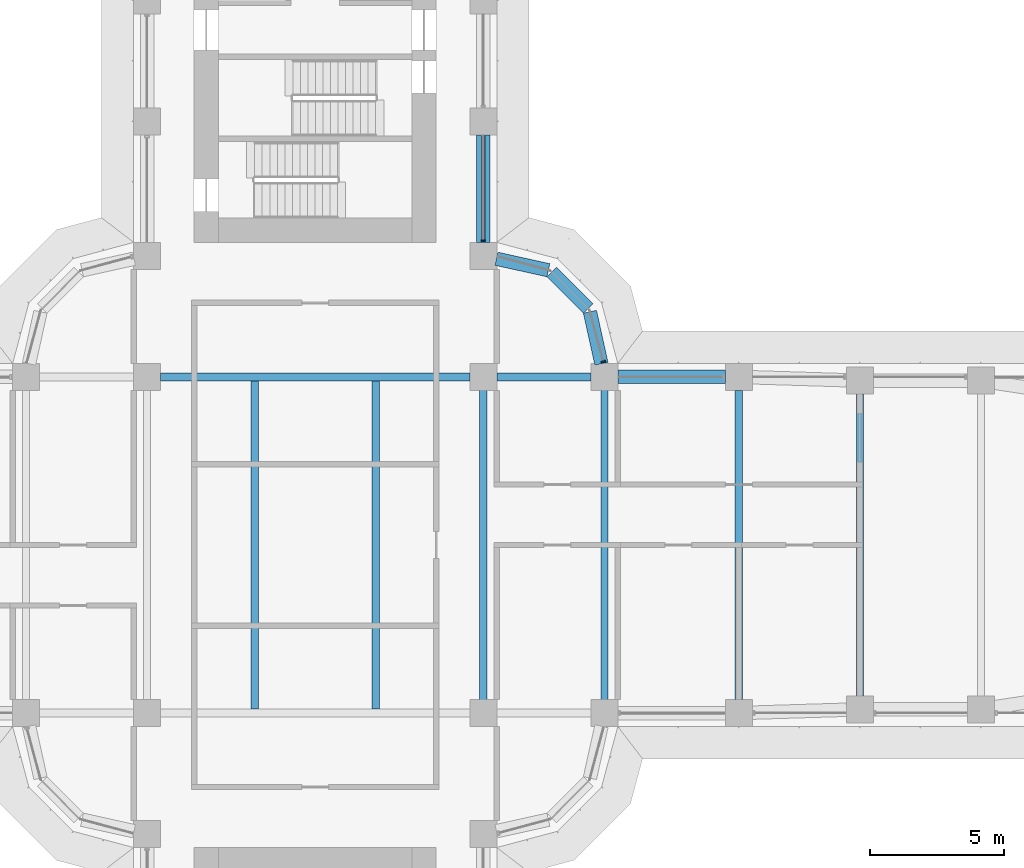
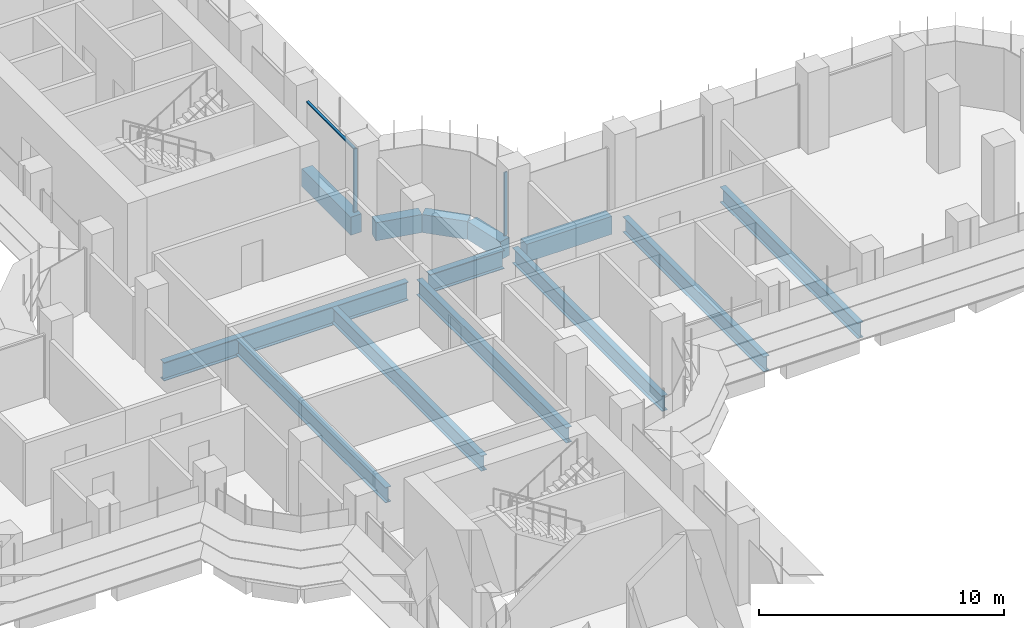
# One storey, part 8 of 23: 13 beams, 3 members, 2 elements without a shape of their own.
"""IFC4 building model written with IfcOpenShell, lengths in metres."""

from ifc_helpers import new_model, si_unit, direction, frame, origin, origin_2d, place, context, subcontext, project, spatial, polyline, rectangle, i_section, outline, extrude, source, transform, mapped, material, material_profile, profile_set, type_object, element, aggregate, save


model = new_model("IFC4")

# Units and contexts
model_context = context("Model", 3, precision=1e-05, world=origin(), true_north=direction((0.0, 1.0)))
body_context = subcontext(model_context, "Body", "Model", "MODEL_VIEW")
ifc_project = project(units=[si_unit("LENGTHUNIT", "METRE"), si_unit("AREAUNIT", "SQUARE_METRE"), si_unit("VOLUMEUNIT", "CUBIC_METRE"), si_unit("PLANEANGLEUNIT", "RADIAN"), si_unit("MASSUNIT", "GRAM", prefix="KILO")], contexts=[model_context])

# Site, building, storey
site_placement = place(None, origin())
site = spatial("IfcSite", under=ifc_project, at=site_placement, CompositionType="ELEMENT")
building_placement = place(site_placement, origin())
building = spatial("IfcBuilding", under=site, at=building_placement, Name="Zarbagh Exchange Tower", CompositionType="ELEMENT")
storey_placement = place(building_placement, frame((0.0, 0.0, 39.60009765625)))
storey = spatial("IfcBuildingStorey", under=building, at=storey_placement, Name="L08", CompositionType="ELEMENT", Elevation=39.60009765625)

# Beams
ifc_material_1 = material(Name="Steel ASTM A992 Gr 50", Category="steel")
ifc_material_profile_1 = material_profile(ifc_material_1, i_section(OverallWidth=0.2666015625, OverallDepth=0.76708984375, WebThickness=0.014892578125, FlangeThickness=0.023681640625, at=origin_2d()), Name="W30X124")
ifc_profile_set_1 = profile_set([ifc_material_profile_1], Name="Steel ASTM A992 Gr 50")
beam_type_1 = type_object("IfcBeamType", Name="Floor beam W30X124", PredefinedType="BEAM", material=ifc_profile_set_1)
for number, where, z_axis, x_axis, name in (
    (1, (-2.25, -6.09765625, -0.53369140625), (0.0, 1.0, 0.0), (-1.0, 0.0, 0.0), "Steel floor beam"),
    (2, (2.25, -6.09765625, -0.53369140625), (0.0, 1.0, 0.0), (-1.0, 0.0, 0.0), "Steel floor beam"),
    (3, (6.25, -6.09765625, -0.53369140625), (0.0, 1.0, 0.0), (-1.0, 0.0, 0.0), "Steel floor beam"),
    (4, (10.75, -6.09765625, -0.53369140625), (0.0, 1.0, 0.0), (-1.0, 0.0, 0.0), "Steel floor beam"),
):
    element("IfcBeam", number, at=place(storey_placement, frame(where, z_axis=z_axis, x_axis=x_axis)), inside=storey, type_object=beam_type_1, Name=name, PredefinedType="BEAM", context=body_context, shape_type="SweptSolid", body=[
        extrude(i_section(OverallWidth=0.2666015625, OverallDepth=0.76708984375, WebThickness=0.014892578125, FlangeThickness=0.023681640625, at=origin_2d()), origin(), (0.0, 0.0, 1.0), 12.1953125),
    ])
beam_1_placement = place(storey_placement, frame((15.75, -5.75, -0.53369140625), z_axis=(0.0, 1.0, 0.0), x_axis=(-1.0, 0.0, 0.0)))
element("IfcBeam", 5, at=beam_1_placement, inside=storey, type_object=beam_type_1, Name="Steel floor beam", PredefinedType="BEAM", context=body_context, shape_type="SweptSolid", body=[
    extrude(i_section(OverallWidth=0.2666015625, OverallDepth=0.76708984375, WebThickness=0.014892578125, FlangeThickness=0.023681640625, at=origin_2d()), origin(), (0.0, 0.0, 1.0), 11.5),
])
beam_2_placement = place(storey_placement, frame((20.25, -5.610107421875, -0.53369140625), z_axis=(0.0, 1.0, 0.0), x_axis=(-1.0, 0.0, 0.0)))
element("IfcBeam", 6, at=beam_2_placement, inside=storey, type_object=beam_type_1, Name="Steel floor beam", PredefinedType="BEAM", context=body_context, shape_type="SweptSolid", body=[
    extrude(i_section(OverallWidth=0.2666015625, OverallDepth=0.76708984375, WebThickness=0.014892578125, FlangeThickness=0.023681640625, at=origin_2d()), origin(), (0.0, 0.0, 1.0), 11.22021484375),
])
ifc_material_profile_2 = material_profile(ifc_material_1, i_section(OverallWidth=0.3046875, OverallDepth=0.91943359375, WebThickness=0.017333984375, FlangeThickness=0.02783203125, at=origin_2d()), Name="W36X170")
ifc_profile_set_2 = profile_set([ifc_material_profile_2], Name="Steel ASTM A992 Gr 50")
beam_type_2 = type_object("IfcBeamType", Name="Floor girder W36X170", PredefinedType="BEAM", material=ifc_profile_set_2)
beam_3_placement = place(storey_placement, frame((-5.75, 6.25, -0.60986328125), z_axis=(1.0, 0.0, 0.0), x_axis=(0.0, 1.0, 0.0)))
element("IfcBeam", 7, at=beam_3_placement, inside=storey, type_object=beam_type_2, Name="Steel girder", PredefinedType="BEAM", context=body_context, shape_type="SweptSolid", body=[
    extrude(i_section(OverallWidth=0.3046875, OverallDepth=0.91943359375, WebThickness=0.017333984375, FlangeThickness=0.02783203125, at=origin_2d()), origin(), (0.0, 0.0, 1.0), 11.5),
])
beam_4_placement = place(storey_placement, frame((6.75, 6.25, -0.60986328125), z_axis=(1.0, 0.0, 0.0), x_axis=(0.0, 1.0, 0.0)))
element("IfcBeam", 8, at=beam_4_placement, inside=storey, type_object=beam_type_2, Name="Steel girder", PredefinedType="BEAM", context=body_context, shape_type="SweptSolid", body=[
    extrude(i_section(OverallWidth=0.3046875, OverallDepth=0.91943359375, WebThickness=0.017333984375, FlangeThickness=0.02783203125, at=origin_2d()), origin(), (0.0, 0.0, 1.0), 3.5),
])
ifc_material_2 = material(Name="Concrete C60/75", Category="concrete")
ifc_material_profile_3 = material_profile(ifc_material_2, rectangle(XDim=0.5, YDim=0.89990234375, at=origin_2d()), Name="RC spandrel beam 500 x 900 C60/75")
ifc_profile_set_3 = profile_set([ifc_material_profile_3], Name="Concrete C60/75")
beam_type_3 = type_object("IfcBeamType", Name="RC spandrel beam 500 x 900 C60/75", PredefinedType="SPANDREL", material=ifc_profile_set_3)
beam_5_placement = place(storey_placement, frame((6.25, 15.25, -0.60009765625), z_axis=(0.0, -1.0, 0.0), x_axis=(1.0, 0.0, 0.0)))
element("IfcBeam", 9, at=beam_5_placement, inside=storey, type_object=beam_type_3, Name="RC spandrel beam", PredefinedType="SPANDREL", context=body_context, shape_type="SweptSolid", body=[
    extrude(rectangle(XDim=0.5, YDim=0.89990234375, at=origin_2d()), origin(), (0.0, 0.0, 1.0), 4.0),
])
beam_6_placement = place(storey_placement, frame((6.73828125, 10.64208984375, -0.60009765625), z_axis=(0.976375426825, -0.216081063242, 0.0), x_axis=(0.216081063242, 0.976375426825, 0.0)))
element("IfcBeam", 10, at=beam_6_placement, inside=storey, type_object=beam_type_3, Name="RC spandrel beam", PredefinedType="SPANDREL", context=body_context, shape_type="SweptSolid", body=[
    extrude(rectangle(XDim=0.5, YDim=0.89990234375, at=origin_2d()), origin(), (0.0, 0.0, 1.0), 1.978271484375),
])
beam_7_placement = place(storey_placement, frame((8.792724609375, 10.147216796875, -0.60009765625), z_axis=(0.707106781187, -0.707106781187, 0.0), x_axis=(0.707106781187, 0.707106781187, 0.0)))
element("IfcBeam", 11, at=beam_7_placement, inside=storey, type_object=beam_type_3, Name="RC spandrel beam", PredefinedType="SPANDREL", context=body_context, shape_type="SweptSolid", body=[
    extrude(rectangle(XDim=0.5, YDim=0.89990234375, at=origin_2d()), origin(), (0.0, 0.0, 1.0), 1.91552734375),
])
beam_8_placement = place(storey_placement, frame((10.214599609375, 8.669921875, -0.60009765625), z_axis=(0.216081063242, -0.976375426825, 0.0), x_axis=(0.976375426825, 0.216081063242, 0.0)))
element("IfcBeam", 12, at=beam_8_placement, inside=storey, type_object=beam_type_3, Name="RC spandrel beam", PredefinedType="SPANDREL", context=body_context, shape_type="SweptSolid", body=[
    extrude(rectangle(XDim=0.5, YDim=0.89990234375, at=origin_2d()), origin(), (0.0, 0.0, 1.0), 1.978271484375),
])
beam_9_placement = place(storey_placement, frame((11.25, 6.25, -0.60009765625), z_axis=(1.0, 0.0, 0.0), x_axis=(0.0, 1.0, 0.0)))
element("IfcBeam", 13, at=beam_9_placement, inside=storey, type_object=beam_type_3, Name="RC spandrel beam", PredefinedType="SPANDREL", context=body_context, shape_type="SweptSolid", body=[
    extrude(rectangle(XDim=0.5, YDim=0.89990234375, at=origin_2d()), origin(), (0.0, 0.0, 1.0), 4.0),
])

# Curtain wall, member
ifc_material_3 = material(Name="Anodised aluminium frame and glazing", Category="aluminium")
curtain_wall_type = type_object("IfcCurtainWallType", Name="CWA Ribbon glazing, lower zones", PredefinedType="NOTDEFINED", material=ifc_material_3)
curtain_wall_1_placement = place(storey_placement, origin())
curtain_wall_1 = element("IfcCurtainWall", 14, at=curtain_wall_1_placement, inside=storey, type_object=curtain_wall_type, Name="CWA17 curtain wall", PredefinedType="NOTDEFINED")
ifc_material_4 = material(Name="Anodised aluminium frame", Category="aluminium")
member_type_1 = type_object("IfcMemberType", Name="MUA Mullion, anodised aluminium frame", PredefinedType="MULLION", material=ifc_material_4)
shared_shape_1 = source(origin(), body_context, "Body", "SweptSolid", [
    extrude(outline(polyline([(0.0, -0.080078125), (0.06005859375, -0.080078125), (0.06005859375, 0.080078125), (0.0, 0.080078125), (0.0, -0.080078125)])), origin(), (0.0, 0.0, 1.0), 3.14990234375),
])
placement = place(storey_placement, origin())
member_1 = element("IfcMember", 15, at=placement, type_object=member_type_1, Name="CWA17 mullion 1.1", PredefinedType="MULLION", context=body_context, shape_type="MappedRepresentation", body=[
    mapped(shared_shape_1, transform((10.7216796875, 6.7900390625, 0.0), x_axis=(-0.258824779902, 0.965924289636, 0.0), y_axis=(-0.965924289636, -0.258824779902, 0.0), z_axis=(0.0, 0.0, 1.0))),
])
aggregate(curtain_wall_1, [member_1])

# Curtain wall, members
curtain_wall_2_placement = place(storey_placement, origin())
curtain_wall_2 = element("IfcCurtainWall", 16, at=curtain_wall_2_placement, inside=storey, type_object=curtain_wall_type, Name="CWA20 curtain wall", PredefinedType="NOTDEFINED")
member_2 = element("IfcMember", 17, at=placement, type_object=member_type_1, Name="CWA20 mullion 1.1", PredefinedType="MULLION", context=body_context, shape_type="MappedRepresentation", body=[
    mapped(shared_shape_1, transform((6.25, 11.2900390625, 0.0), x_axis=(0.0, 1.0, 0.0), y_axis=(-1.0, 0.0, 0.0), z_axis=(0.0, 0.0, 1.0))),
])
member_type_2 = type_object("IfcMemberType", Name="TRA Transom, anodised aluminium frame", PredefinedType="USERDEFINED", material=ifc_material_4)
shared_shape_2 = source(origin(), body_context, "Body", "SweptSolid", [
    extrude(outline(polyline([(-0.06005859375, -0.06005859375), (0.0, -0.06005859375), (0.0, 0.06005859375), (-0.06005859375, 0.06005859375), (-0.06005859375, -0.06005859375)])), origin(), (0.0, 0.0, 1.0), 3.860107421875),
])
member_3 = element("IfcMember", 18, at=placement, type_object=member_type_2, Name="CWA20 transom 1.1", ObjectType="TRANSOM", PredefinedType="USERDEFINED", context=body_context, shape_type="MappedRepresentation", body=[
    mapped(shared_shape_2, transform((6.25, 11.35009765625, 3.14990234375), x_axis=(0.0, 0.0, 1.0), y_axis=(1.0, 0.0, 0.0), z_axis=(0.0, 1.0, 0.0))),
])
aggregate(curtain_wall_2, [member_2, member_3])

save(model, "model.ifc")
